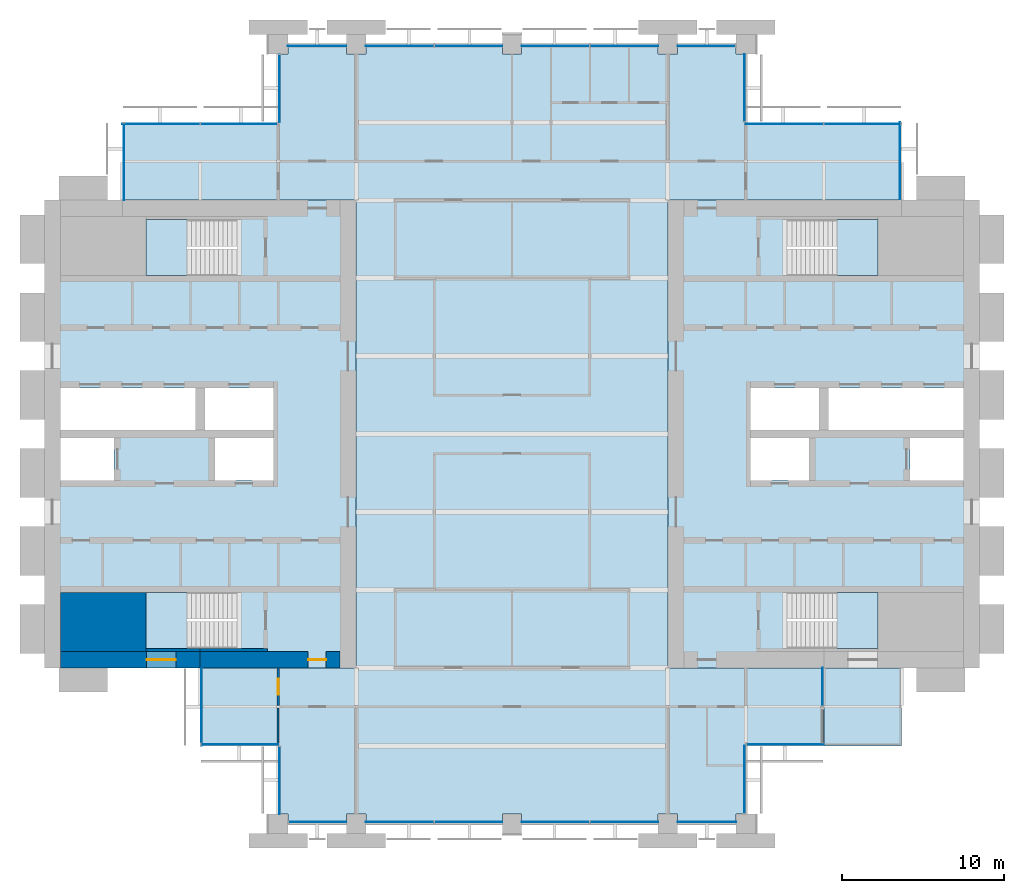
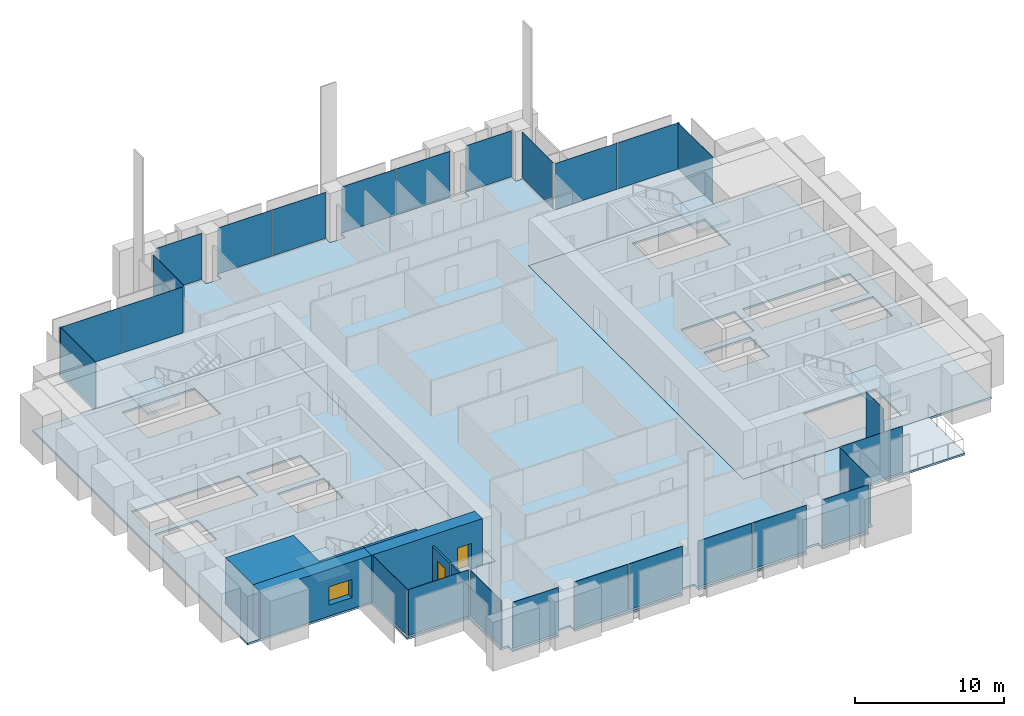
# One storey, part 8 of 14: 26 plates, 8 slabs, 7 walls, 2 doors, 1 window, 3 openings, 18 elements without a shape of their own.
"""IFC4 building model written with IfcOpenShell, lengths in metres."""

from ifc_helpers import new_model, si_unit, direction, frame, frame_2d, origin, origin_2d, place, context, subcontext, project, spatial, polyline, rectangle, outline, extrude, material, layer, layer_set, type_object, element, fill, aggregate, save


model = new_model("IFC4")

# Units and contexts
model_context = context("Model", 3, precision=1e-05, world=origin(), true_north=direction((0.0, 1.0)))
body_context = subcontext(model_context, "Body", "Model", "MODEL_VIEW")
ifc_project = project(units=[si_unit("LENGTHUNIT", "METRE"), si_unit("AREAUNIT", "SQUARE_METRE"), si_unit("VOLUMEUNIT", "CUBIC_METRE"), si_unit("PLANEANGLEUNIT", "RADIAN"), si_unit("MASSUNIT", "GRAM", prefix="KILO")], contexts=[model_context])

# Site, building, storey
site_placement = place(None, origin())
site = spatial("IfcSite", under=ifc_project, at=site_placement, CompositionType="ELEMENT")
building_placement = place(site_placement, origin())
building = spatial("IfcBuilding", under=site, at=building_placement, Name="Baori Bourse Tower", CompositionType="ELEMENT")
storey_placement = place(building_placement, frame((0.0, 0.0, 120.10009765625)))
storey = spatial("IfcBuildingStorey", under=building, at=storey_placement, Name="L25", CompositionType="ELEMENT", Elevation=120.10009765625)

# Curtain wall, plates
ifc_material_1 = material(Name="Pale anodised aluminium", Category="aluminium")
curtain_wall_type_1 = type_object("IfcCurtainWallType", Name="CW1 Curtain wall", PredefinedType="NOTDEFINED", material=ifc_material_1)
curtain_wall_1_placement = place(storey_placement, origin())
curtain_wall_1 = element("IfcCurtainWall", 1, at=curtain_wall_1_placement, inside=storey, type_object=curtain_wall_type_1, Name="Curtain wall CW1 L25 4", PredefinedType="NOTDEFINED")
ifc_material_2 = material(Name="Clear glass", Category="glass")
ifc_layer_1 = layer(ifc_material_2, 0.033935546875)
ifc_layer_set_1 = layer_set([ifc_layer_1], Name="CW1 Curtain wall panel")
plate_type_1 = type_object("IfcPlateType", Name="CW1 Curtain wall panel", PredefinedType="CURTAIN_PANEL", material=ifc_layer_set_1)
plate_1_placement = place(storey_placement, frame((40.77001953125, 47.89990234375, 0.080078125), z_axis=(0.0, 0.0, 1.0), x_axis=(-1.0, 0.0, 0.0)))
plate_1 = element("IfcPlate", 2, at=plate_1_placement, type_object=plate_type_1, Name="Curtain wall CW1 panel", PredefinedType="CURTAIN_PANEL", context=body_context, shape_type="SweptSolid", body=[
    extrude(rectangle(XDim=3.5400390625, YDim=0.033935546875, at=origin_2d()), origin(), (0.0, 0.0, 1.0), 3.760009765625),
])
plate_2_placement = place(storey_placement, frame((35.715087890625, 47.89990234375, 0.080078125), z_axis=(0.0, 0.0, 1.0), x_axis=(-1.0, 0.0, 0.0)))
plate_2 = element("IfcPlate", 3, at=plate_2_placement, type_object=plate_type_1, Name="Curtain wall CW1 panel", PredefinedType="CURTAIN_PANEL", context=body_context, shape_type="SweptSolid", body=[
    extrude(rectangle(XDim=4.169921875, YDim=0.033935546875, at=origin_2d()), origin(), (0.0, 0.0, 1.0), 3.760009765625),
])
plate_3_placement = place(storey_placement, frame((31.485107421875, 47.89990234375, 0.080078125), z_axis=(0.0, 0.0, 1.0), x_axis=(-1.0, 0.0, 0.0)))
plate_3 = element("IfcPlate", 4, at=plate_3_placement, type_object=plate_type_1, Name="Curtain wall CW1 panel", PredefinedType="CURTAIN_PANEL", context=body_context, shape_type="SweptSolid", body=[
    extrude(rectangle(XDim=4.169921875, YDim=0.033935546875, at=origin_2d()), origin(), (0.0, 0.0, 1.0), 3.760009765625),
])
plate_4_placement = place(storey_placement, frame((26.114990234375, 47.89990234375, 0.080078125), z_axis=(0.0, 0.0, 1.0), x_axis=(-1.0, 0.0, 0.0)))
plate_4 = element("IfcPlate", 5, at=plate_4_placement, type_object=plate_type_1, Name="Curtain wall CW1 panel", PredefinedType="CURTAIN_PANEL", context=body_context, shape_type="SweptSolid", body=[
    extrude(rectangle(XDim=4.169921875, YDim=0.033935546875, at=origin_2d()), origin(), (0.0, 0.0, 1.0), 3.760009765625),
])
plate_5_placement = place(storey_placement, frame((21.885009765625, 47.89990234375, 0.080078125), z_axis=(0.0, 0.0, 1.0), x_axis=(-1.0, 0.0, 0.0)))
plate_5 = element("IfcPlate", 6, at=plate_5_placement, type_object=plate_type_1, Name="Curtain wall CW1 panel", PredefinedType="CURTAIN_PANEL", context=body_context, shape_type="SweptSolid", body=[
    extrude(rectangle(XDim=4.169921875, YDim=0.033935546875, at=origin_2d()), origin(), (0.0, 0.0, 1.0), 3.760009765625),
])
plate_6_placement = place(storey_placement, frame((16.800048828125, 47.89990234375, 0.080078125), z_axis=(0.0, 0.0, 1.0), x_axis=(-1.0, 0.0, 0.0)))
plate_6 = element("IfcPlate", 7, at=plate_6_placement, type_object=plate_type_1, Name="Curtain wall CW1 panel", PredefinedType="CURTAIN_PANEL", context=body_context, shape_type="SweptSolid", body=[
    extrude(rectangle(XDim=3.60009765625, YDim=0.033935546875, at=origin_2d()), origin(), (0.0, 0.0, 1.0), 3.760009765625),
])
aggregate(curtain_wall_1, [plate_1, plate_2, plate_3, plate_4, plate_5, plate_6])

curtain_wall_2_placement = place(storey_placement, origin())
curtain_wall_2 = element("IfcCurtainWall", 8, at=curtain_wall_2_placement, inside=storey, type_object=curtain_wall_type_1, Name="Curtain wall CW1 L25 11", PredefinedType="NOTDEFINED")
plate_7_placement = place(storey_placement, frame((16.830078125, 0.10009765625, 0.080078125), z_axis=(0.0, 0.0, 1.0), x_axis=(1.0, 0.0, 0.0)))
plate_7 = element("IfcPlate", 9, at=plate_7_placement, type_object=plate_type_1, Name="Curtain wall CW1 panel", PredefinedType="CURTAIN_PANEL", context=body_context, shape_type="SweptSolid", body=[
    extrude(rectangle(XDim=3.5400390625, YDim=0.033935546875, at=origin_2d()), origin(), (0.0, 0.0, 1.0), 3.760009765625),
])
plate_8_placement = place(storey_placement, frame((21.885009765625, 0.10009765625, 0.080078125), z_axis=(0.0, 0.0, 1.0), x_axis=(1.0, 0.0, 0.0)))
plate_8 = element("IfcPlate", 10, at=plate_8_placement, type_object=plate_type_1, Name="Curtain wall CW1 panel", PredefinedType="CURTAIN_PANEL", context=body_context, shape_type="SweptSolid", body=[
    extrude(rectangle(XDim=4.169921875, YDim=0.033935546875, at=origin_2d()), origin(), (0.0, 0.0, 1.0), 3.760009765625),
])
plate_9_placement = place(storey_placement, frame((26.114990234375, 0.10009765625, 0.080078125), z_axis=(0.0, 0.0, 1.0), x_axis=(1.0, 0.0, 0.0)))
plate_9 = element("IfcPlate", 11, at=plate_9_placement, type_object=plate_type_1, Name="Curtain wall CW1 panel", PredefinedType="CURTAIN_PANEL", context=body_context, shape_type="SweptSolid", body=[
    extrude(rectangle(XDim=4.169921875, YDim=0.033935546875, at=origin_2d()), origin(), (0.0, 0.0, 1.0), 3.760009765625),
])
plate_10_placement = place(storey_placement, frame((31.485107421875, 0.10009765625, 0.080078125), z_axis=(0.0, 0.0, 1.0), x_axis=(1.0, 0.0, 0.0)))
plate_10 = element("IfcPlate", 12, at=plate_10_placement, type_object=plate_type_1, Name="Curtain wall CW1 panel", PredefinedType="CURTAIN_PANEL", context=body_context, shape_type="SweptSolid", body=[
    extrude(rectangle(XDim=4.169921875, YDim=0.033935546875, at=origin_2d()), origin(), (0.0, 0.0, 1.0), 3.760009765625),
])
plate_11_placement = place(storey_placement, frame((35.715087890625, 0.10009765625, 0.080078125), z_axis=(0.0, 0.0, 1.0), x_axis=(1.0, 0.0, 0.0)))
plate_11 = element("IfcPlate", 13, at=plate_11_placement, type_object=plate_type_1, Name="Curtain wall CW1 panel", PredefinedType="CURTAIN_PANEL", context=body_context, shape_type="SweptSolid", body=[
    extrude(rectangle(XDim=4.169921875, YDim=0.033935546875, at=origin_2d()), origin(), (0.0, 0.0, 1.0), 3.760009765625),
])
plate_12_placement = place(storey_placement, frame((40.800048828125, 0.10009765625, 0.080078125), z_axis=(0.0, 0.0, 1.0), x_axis=(1.0, 0.0, 0.0)))
plate_12 = element("IfcPlate", 14, at=plate_12_placement, type_object=plate_type_1, Name="Curtain wall CW1 panel", PredefinedType="CURTAIN_PANEL", context=body_context, shape_type="SweptSolid", body=[
    extrude(rectangle(XDim=3.60009765625, YDim=0.033935546875, at=origin_2d()), origin(), (0.0, 0.0, 1.0), 3.760009765625),
])
aggregate(curtain_wall_2, [plate_7, plate_8, plate_9, plate_10, plate_11, plate_12])

# Curtain wall, plate
ifc_material_3 = material(Name="Pale anodised aluminium", Category="aluminium")
curtain_wall_type_2 = type_object("IfcCurtainWallType", Name="CW2 Curtain wall", PredefinedType="NOTDEFINED", material=ifc_material_3)
curtain_wall_3_placement = place(storey_placement, origin())
curtain_wall_3 = element("IfcCurtainWall", 15, at=curtain_wall_3_placement, inside=storey, type_object=curtain_wall_type_2, Name="Curtain wall CW2 L25 1", PredefinedType="NOTDEFINED")
ifc_material_4 = material(Name="Clear glass", Category="glass")
ifc_layer_2 = layer(ifc_material_4, 0.030029296875)
ifc_layer_set_2 = layer_set([ifc_layer_2], Name="CW2 Curtain wall panel")
plate_type_2 = type_object("IfcPlateType", Name="CW2 Curtain wall panel", PredefinedType="CURTAIN_PANEL", material=ifc_layer_set_2)
plate_13_placement = place(storey_placement, frame((52.7099609375, 40.827392578125, 0.06982421875), z_axis=(0.0, 0.0, 1.0), x_axis=(0.0, 1.0, 0.0)))
plate_13 = element("IfcPlate", 16, at=plate_13_placement, type_object=plate_type_2, Name="Curtain wall CW2 panel", PredefinedType="CURTAIN_PANEL", context=body_context, shape_type="SweptSolid", body=[
    extrude(rectangle(XDim=4.7451171875, YDim=0.030029296875, at=origin_2d()), origin(), (0.0, 0.0, 1.0), 3.77001953125),
])
aggregate(curtain_wall_3, [plate_13])

# Curtain wall, plates
curtain_wall_4_placement = place(storey_placement, origin())
curtain_wall_4 = element("IfcCurtainWall", 17, at=curtain_wall_4_placement, inside=storey, type_object=curtain_wall_type_2, Name="Curtain wall CW2 L25 2", PredefinedType="NOTDEFINED")
plate_14_placement = place(storey_placement, frame((50.38623046875, 43.110107421875, 0.06982421875), z_axis=(0.0, 0.0, 1.0), x_axis=(-1.0, 0.0, 0.0)))
plate_14 = element("IfcPlate", 18, at=plate_14_placement, type_object=plate_type_2, Name="Curtain wall CW2 panel", PredefinedType="CURTAIN_PANEL", context=body_context, shape_type="SweptSolid", body=[
    extrude(rectangle(XDim=4.717529296875, YDim=0.030029296875, at=origin_2d()), origin(), (0.0, 0.0, 1.0), 3.77001953125),
])
plate_15_placement = place(storey_placement, frame((45.586181640625, 43.110107421875, 0.06982421875), z_axis=(0.0, 0.0, 1.0), x_axis=(-1.0, 0.0, 0.0)))
plate_15 = element("IfcPlate", 19, at=plate_15_placement, type_object=plate_type_2, Name="Curtain wall CW2 panel", PredefinedType="CURTAIN_PANEL", context=body_context, shape_type="SweptSolid", body=[
    extrude(rectangle(XDim=4.7724609375, YDim=0.030029296875, at=origin_2d()), origin(), (0.0, 0.0, 1.0), 3.77001953125),
])
aggregate(curtain_wall_4, [plate_14, plate_15])

# Curtain wall, plate
curtain_wall_5_placement = place(storey_placement, origin())
curtain_wall_5 = element("IfcCurtainWall", 20, at=curtain_wall_5_placement, inside=storey, type_object=curtain_wall_type_2, Name="Curtain wall CW2 L25 3", PredefinedType="NOTDEFINED")
plate_16_placement = place(storey_placement, frame((43.110107421875, 45.327392578125, 0.06982421875), z_axis=(0.0, 0.0, 1.0), x_axis=(0.0, 1.0, 0.0)))
plate_16 = element("IfcPlate", 21, at=plate_16_placement, type_object=plate_type_2, Name="Curtain wall CW2 panel", PredefinedType="CURTAIN_PANEL", context=body_context, shape_type="SweptSolid", body=[
    extrude(rectangle(XDim=4.14501953125, YDim=0.030029296875, at=origin_2d()), origin(), (0.0, 0.0, 1.0), 3.77001953125),
])
aggregate(curtain_wall_5, [plate_16])

curtain_wall_6_placement = place(storey_placement, origin())
curtain_wall_6 = element("IfcCurtainWall", 22, at=curtain_wall_6_placement, inside=storey, type_object=curtain_wall_type_2, Name="Curtain wall CW2 L25 5", PredefinedType="NOTDEFINED")
plate_17_placement = place(storey_placement, frame((14.489990234375, 45.2724609375, 0.06982421875), z_axis=(0.0, 0.0, 1.0), x_axis=(0.0, -1.0, 0.0)))
plate_17 = element("IfcPlate", 23, at=plate_17_placement, type_object=plate_type_2, Name="Curtain wall CW2 panel", PredefinedType="CURTAIN_PANEL", context=body_context, shape_type="SweptSolid", body=[
    extrude(rectangle(XDim=4.14501953125, YDim=0.030029296875, at=origin_2d()), origin(), (0.0, 0.0, 1.0), 3.77001953125),
])
aggregate(curtain_wall_6, [plate_17])

# Curtain wall, plates
curtain_wall_7_placement = place(storey_placement, origin())
curtain_wall_7 = element("IfcCurtainWall", 24, at=curtain_wall_7_placement, inside=storey, type_object=curtain_wall_type_2, Name="Curtain wall CW2 L25 6", PredefinedType="NOTDEFINED")
plate_18_placement = place(storey_placement, frame((11.986328125, 43.110107421875, 0.06982421875), z_axis=(0.0, 0.0, 1.0), x_axis=(-1.0, 0.0, 0.0)))
plate_18 = element("IfcPlate", 25, at=plate_18_placement, type_object=plate_type_2, Name="Curtain wall CW2 panel", PredefinedType="CURTAIN_PANEL", context=body_context, shape_type="SweptSolid", body=[
    extrude(rectangle(XDim=4.717529296875, YDim=0.030029296875, at=origin_2d()), origin(), (0.0, 0.0, 1.0), 3.77001953125),
])
plate_19_placement = place(storey_placement, frame((7.186279296875, 43.110107421875, 0.06982421875), z_axis=(0.0, 0.0, 1.0), x_axis=(-1.0, 0.0, 0.0)))
plate_19 = element("IfcPlate", 26, at=plate_19_placement, type_object=plate_type_2, Name="Curtain wall CW2 panel", PredefinedType="CURTAIN_PANEL", context=body_context, shape_type="SweptSolid", body=[
    extrude(rectangle(XDim=4.7724609375, YDim=0.030029296875, at=origin_2d()), origin(), (0.0, 0.0, 1.0), 3.77001953125),
])
aggregate(curtain_wall_7, [plate_18, plate_19])

# Curtain wall, plate
curtain_wall_8_placement = place(storey_placement, origin())
curtain_wall_8 = element("IfcCurtainWall", 27, at=curtain_wall_8_placement, inside=storey, type_object=curtain_wall_type_2, Name="Curtain wall CW2 L25 7", PredefinedType="NOTDEFINED")
plate_20_placement = place(storey_placement, frame((4.889892578125, 40.7724609375, 0.06982421875), z_axis=(0.0, 0.0, 1.0), x_axis=(0.0, -1.0, 0.0)))
plate_20 = element("IfcPlate", 28, at=plate_20_placement, type_object=plate_type_2, Name="Curtain wall CW2 panel", PredefinedType="CURTAIN_PANEL", context=body_context, shape_type="SweptSolid", body=[
    extrude(rectangle(XDim=4.7451171875, YDim=0.030029296875, at=origin_2d()), origin(), (0.0, 0.0, 1.0), 3.77001953125),
])
aggregate(curtain_wall_8, [plate_20])

curtain_wall_9_placement = place(storey_placement, origin())
curtain_wall_9 = element("IfcCurtainWall", 29, at=curtain_wall_9_placement, inside=storey, type_object=curtain_wall_type_2, Name="Curtain wall CW2 L25 8", PredefinedType="NOTDEFINED")
plate_21_placement = place(storey_placement, frame((9.68994140625, 7.172607421875, 0.06982421875), z_axis=(0.0, 0.0, 1.0), x_axis=(0.0, -1.0, 0.0)))
plate_21 = element("IfcPlate", 30, at=plate_21_placement, type_object=plate_type_2, Name="Curtain wall CW2 panel", PredefinedType="CURTAIN_PANEL", context=body_context, shape_type="SweptSolid", body=[
    extrude(rectangle(XDim=4.7451171875, YDim=0.030029296875, at=origin_2d()), origin(), (0.0, 0.0, 1.0), 3.77001953125),
])
aggregate(curtain_wall_9, [plate_21])

curtain_wall_10_placement = place(storey_placement, origin())
curtain_wall_10 = element("IfcCurtainWall", 31, at=curtain_wall_10_placement, inside=storey, type_object=curtain_wall_type_2, Name="Curtain wall CW2 L25 9", PredefinedType="NOTDEFINED")
plate_22_placement = place(storey_placement, frame((12.027587890625, 4.889892578125, 0.06982421875), z_axis=(0.0, 0.0, 1.0), x_axis=(1.0, 0.0, 0.0)))
plate_22 = element("IfcPlate", 32, at=plate_22_placement, type_object=plate_type_2, Name="Curtain wall CW2 panel", PredefinedType="CURTAIN_PANEL", context=body_context, shape_type="SweptSolid", body=[
    extrude(rectangle(XDim=4.7451171875, YDim=0.030029296875, at=origin_2d()), origin(), (0.0, 0.0, 1.0), 3.77001953125),
])
aggregate(curtain_wall_10, [plate_22])

curtain_wall_11_placement = place(storey_placement, origin())
curtain_wall_11 = element("IfcCurtainWall", 33, at=curtain_wall_11_placement, inside=storey, type_object=curtain_wall_type_2, Name="Curtain wall CW2 L25 10", PredefinedType="NOTDEFINED")
plate_23_placement = place(storey_placement, frame((14.489990234375, 2.672607421875, 0.06982421875), z_axis=(0.0, 0.0, 1.0), x_axis=(0.0, -1.0, 0.0)))
plate_23 = element("IfcPlate", 34, at=plate_23_placement, type_object=plate_type_2, Name="Curtain wall CW2 panel", PredefinedType="CURTAIN_PANEL", context=body_context, shape_type="SweptSolid", body=[
    extrude(rectangle(XDim=4.14501953125, YDim=0.030029296875, at=origin_2d()), origin(), (0.0, 0.0, 1.0), 3.77001953125),
])
aggregate(curtain_wall_11, [plate_23])

curtain_wall_12_placement = place(storey_placement, origin())
curtain_wall_12 = element("IfcCurtainWall", 35, at=curtain_wall_12_placement, inside=storey, type_object=curtain_wall_type_2, Name="Curtain wall CW2 L25 12", PredefinedType="NOTDEFINED")
plate_24_placement = place(storey_placement, frame((43.110107421875, 2.7275390625, 0.06982421875), z_axis=(0.0, 0.0, 1.0), x_axis=(0.0, 1.0, 0.0)))
plate_24 = element("IfcPlate", 36, at=plate_24_placement, type_object=plate_type_2, Name="Curtain wall CW2 panel", PredefinedType="CURTAIN_PANEL", context=body_context, shape_type="SweptSolid", body=[
    extrude(rectangle(XDim=4.14501953125, YDim=0.030029296875, at=origin_2d()), origin(), (0.0, 0.0, 1.0), 3.77001953125),
])
aggregate(curtain_wall_12, [plate_24])

curtain_wall_13_placement = place(storey_placement, origin())
curtain_wall_13 = element("IfcCurtainWall", 37, at=curtain_wall_13_placement, inside=storey, type_object=curtain_wall_type_2, Name="Curtain wall CW2 L25 13", PredefinedType="NOTDEFINED")
plate_25_placement = place(storey_placement, frame((45.62744140625, 4.889892578125, 0.06982421875), z_axis=(0.0, 0.0, 1.0), x_axis=(1.0, 0.0, 0.0)))
plate_25 = element("IfcPlate", 38, at=plate_25_placement, type_object=plate_type_2, Name="Curtain wall CW2 panel", PredefinedType="CURTAIN_PANEL", context=body_context, shape_type="SweptSolid", body=[
    extrude(rectangle(XDim=4.7451171875, YDim=0.030029296875, at=origin_2d()), origin(), (0.0, 0.0, 1.0), 3.77001953125),
])
aggregate(curtain_wall_13, [plate_25])

curtain_wall_14_placement = place(storey_placement, origin())
curtain_wall_14 = element("IfcCurtainWall", 39, at=curtain_wall_14_placement, inside=storey, type_object=curtain_wall_type_2, Name="Curtain wall CW2 L25 14", PredefinedType="NOTDEFINED")
plate_26_placement = place(storey_placement, frame((47.909912109375, 8.427490234375, 0.06982421875), z_axis=(0.0, 0.0, 1.0), x_axis=(0.0, 1.0, 0.0)))
plate_26 = element("IfcPlate", 40, at=plate_26_placement, type_object=plate_type_2, Name="Curtain wall CW2 panel", PredefinedType="CURTAIN_PANEL", context=body_context, shape_type="SweptSolid", body=[
    extrude(rectangle(XDim=2.344970703125, YDim=0.030029296875, at=origin_2d()), origin(), (0.0, 0.0, 1.0), 3.77001953125),
])
aggregate(curtain_wall_14, [plate_26])

# Slabs
ifc_material_5 = material(Name="Concrete f'c 50 MPa", Category="concrete")
ifc_layer_3 = layer(ifc_material_5, 0.159912109375)
ifc_layer_set_3 = layer_set([ifc_layer_3], Name="Core slab 160")
slab_type_1 = type_object("IfcSlabType", Name="Core slab 160", PredefinedType="FLOOR", material=ifc_layer_set_3)
slab_1_placement = place(storey_placement, frame((0.0, 0.0, -0.16015625)))
element("IfcSlab", 41, at=slab_1_placement, inside=storey, type_object=slab_type_1, Name="Core floor slab W01", PredefinedType="FLOOR", context=body_context, shape_type="SweptSolid", body=[
    extrude(outline(polyline([(0.0, 38.39990234375), (0.0, 9.60009765625), (19.199951171875, 9.60009765625), (19.199951171875, 38.39990234375), (0.0, 38.39990234375)]), holes=[polyline([(10.5, 21.14990234375), (10.5, 23.75), (14.10009765625, 23.75), (14.10009765625, 21.14990234375), (10.5, 21.14990234375)]), polyline([(14.10009765625, 24.25), (9.89990234375, 24.25), (9.89990234375, 26.85009765625), (14.10009765625, 26.85009765625), (14.10009765625, 24.25)]), polyline([(6.25, 14.25), (11.84912109375, 14.25), (11.84912109375, 10.800048828125), (6.25, 10.800048828125), (6.25, 14.25)]), polyline([(11.84912109375, 37.199951171875), (11.84912109375, 33.75), (6.25, 33.75), (6.25, 37.199951171875), (11.84912109375, 37.199951171875)]), polyline([(1.0, 26.85009765625), (9.300048828125, 26.85009765625), (9.300048828125, 24.25), (1.0, 24.25), (1.0, 26.85009765625)]), polyline([(4.300048828125, 23.75), (4.300048828125, 21.14990234375), (1.0, 21.14990234375), (1.0, 23.75), (4.300048828125, 23.75)])]), origin(), (0.0, 0.0, 1.0), 0.16015625),
])
slab_2_placement = place(storey_placement, frame((0.0, 0.0, -0.16015625)))
element("IfcSlab", 42, at=slab_2_placement, inside=storey, type_object=slab_type_1, Name="Core floor slab E01", PredefinedType="FLOOR", context=body_context, shape_type="SweptSolid", body=[
    extrude(outline(polyline([(57.60009765625, 38.39990234375), (38.39990234375, 38.39990234375), (38.39990234375, 9.60009765625), (57.60009765625, 9.60009765625), (57.60009765625, 38.39990234375)]), holes=[polyline([(56.60009765625, 21.14990234375), (53.300048828125, 21.14990234375), (53.300048828125, 23.75), (56.60009765625, 23.75), (56.60009765625, 21.14990234375)]), polyline([(56.60009765625, 26.85009765625), (56.60009765625, 24.25), (48.300048828125, 24.25), (48.300048828125, 26.85009765625), (56.60009765625, 26.85009765625)]), polyline([(45.750732421875, 14.25), (51.35009765625, 14.25), (51.35009765625, 10.800048828125), (45.750732421875, 10.800048828125), (45.750732421875, 14.25)]), polyline([(51.35009765625, 37.199951171875), (51.35009765625, 33.75), (45.750732421875, 33.75), (45.750732421875, 37.199951171875), (51.35009765625, 37.199951171875)]), polyline([(43.5, 24.25), (43.5, 26.85009765625), (47.699951171875, 26.85009765625), (47.699951171875, 24.25), (43.5, 24.25)]), polyline([(43.5, 23.75), (47.10009765625, 23.75), (47.10009765625, 21.14990234375), (43.5, 21.14990234375), (43.5, 23.75)])]), origin(), (0.0, 0.0, 1.0), 0.16015625),
])

# Stair, slab
ifc_material_6 = material(Name="Concrete f'c 50 MPa", Category="concrete")
stair_type = type_object("IfcStairType", Name="Core stair", PredefinedType="HALF_TURN_STAIR", material=ifc_material_6)
stair_1_placement = place(storey_placement, origin())
stair_1 = element("IfcStair", 43, at=stair_1_placement, inside=storey, type_object=stair_type, Name="L25 Stair WA", PredefinedType="HALF_TURN_STAIR")
ifc_material_7 = material(Name="Concrete f'c 50 MPa", Category="concrete")
slab_type_2 = type_object("IfcSlabType", Name="Core stair landing", PredefinedType="LANDING", material=ifc_material_7)
slab_3_placement = place(storey_placement, frame((0.0, 0.0, 1.7998046875)))
slab_3 = element("IfcSlab", 44, at=slab_3_placement, type_object=slab_type_2, Name="ST1 landing 1", PredefinedType="LANDING", context=body_context, shape_type="SweptSolid", body=[
    extrude(outline(polyline([(8.77001953125, 14.25), (6.25, 14.25), (6.25, 10.800048828125), (8.77001953125, 10.800048828125), (8.77001953125, 14.25)])), origin(), (0.0, 0.0, 1.0), 0.2001953125),
])
aggregate(stair_1, [slab_3])

stair_2_placement = place(storey_placement, origin())
stair_2 = element("IfcStair", 45, at=stair_2_placement, inside=storey, type_object=stair_type, Name="L25 Stair WB", PredefinedType="HALF_TURN_STAIR")
slab_4_placement = place(storey_placement, frame((0.0, 0.0, 1.7998046875)))
slab_4 = element("IfcSlab", 46, at=slab_4_placement, type_object=slab_type_2, Name="ST2 landing 1", PredefinedType="LANDING", context=body_context, shape_type="SweptSolid", body=[
    extrude(outline(polyline([(8.77001953125, 37.199951171875), (6.25, 37.199951171875), (6.25, 33.75), (8.77001953125, 33.75), (8.77001953125, 37.199951171875)])), origin(), (0.0, 0.0, 1.0), 0.2001953125),
])
aggregate(stair_2, [slab_4])

stair_3_placement = place(storey_placement, origin())
stair_3 = element("IfcStair", 47, at=stair_3_placement, inside=storey, type_object=stair_type, Name="L25 Stair EA", PredefinedType="HALF_TURN_STAIR")
slab_5_placement = place(storey_placement, frame((0.0, 0.0, 1.7998046875)))
slab_5 = element("IfcSlab", 48, at=slab_5_placement, type_object=slab_type_2, Name="ST3 landing 1", PredefinedType="LANDING", context=body_context, shape_type="SweptSolid", body=[
    extrude(outline(polyline([(48.830078125, 10.800048828125), (51.35009765625, 10.800048828125), (51.35009765625, 14.25), (48.830078125, 14.25), (48.830078125, 10.800048828125)])), origin(), (0.0, 0.0, 1.0), 0.2001953125),
])
aggregate(stair_3, [slab_5])

stair_4_placement = place(storey_placement, origin())
stair_4 = element("IfcStair", 49, at=stair_4_placement, inside=storey, type_object=stair_type, Name="L25 Stair EB", PredefinedType="HALF_TURN_STAIR")
slab_6_placement = place(storey_placement, frame((0.0, 0.0, 1.7998046875)))
slab_6 = element("IfcSlab", 50, at=slab_6_placement, type_object=slab_type_2, Name="ST4 landing 1", PredefinedType="LANDING", context=body_context, shape_type="SweptSolid", body=[
    extrude(outline(polyline([(48.830078125, 33.75), (51.35009765625, 33.75), (51.35009765625, 37.199951171875), (48.830078125, 37.199951171875), (48.830078125, 33.75)])), origin(), (0.0, 0.0, 1.0), 0.2001953125),
])
aggregate(stair_4, [slab_6])

# Slabs
ifc_material_8 = material(Name="Concrete f'c 40 MPa", Category="concrete")
ifc_layer_4 = layer(ifc_material_8, 0.159912109375)
ifc_layer_set_4 = layer_set([ifc_layer_4], Name="Floor slab 160")
slab_type_3 = type_object("IfcSlabType", Name="Floor slab 160", PredefinedType="FLOOR", material=ifc_layer_set_4)
slab_7_placement = place(storey_placement, frame((0.0, 0.0, -0.16015625)))
element("IfcSlab", 51, at=slab_7_placement, inside=storey, type_object=slab_type_3, Name="Floor slab L25", PredefinedType="FLOOR", context=body_context, shape_type="SweptSolid", body=[
    extrude(outline(polyline([(14.39990234375, 4.800048828125), (9.60009765625, 4.800048828125), (9.60009765625, 9.60009765625), (19.199951171875, 9.60009765625), (19.199951171875, 38.39990234375), (4.800048828125, 38.39990234375), (4.800048828125, 43.199951171875), (14.39990234375, 43.199951171875), (14.39990234375, 47.39990234375), (15.0, 47.39990234375), (15.0, 48.0), (18.60009765625, 48.0), (18.60009765625, 47.39990234375), (19.800048828125, 47.39990234375), (19.800048828125, 48.0), (28.199951171875, 48.0), (28.199951171875, 47.39990234375), (29.39990234375, 47.39990234375), (29.39990234375, 48.0), (37.800048828125, 48.0), (37.800048828125, 47.39990234375), (39.0, 47.39990234375), (39.0, 48.0), (42.60009765625, 48.0), (42.60009765625, 47.39990234375), (43.199951171875, 47.39990234375), (43.199951171875, 43.199951171875), (52.800048828125, 43.199951171875), (52.800048828125, 38.39990234375), (38.39990234375, 38.39990234375), (38.39990234375, 9.60009765625), (48.0, 9.60009765625), (48.0, 4.800048828125), (43.199951171875, 4.800048828125), (43.199951171875, 0.60009765625), (42.60009765625, 0.60009765625), (42.60009765625, 0.0), (39.0, 0.0), (39.0, 0.60009765625), (37.800048828125, 0.60009765625), (37.800048828125, 0.0), (29.39990234375, 0.0), (29.39990234375, 0.60009765625), (28.199951171875, 0.60009765625), (28.199951171875, 0.0), (19.800048828125, 0.0), (19.800048828125, 0.60009765625), (18.60009765625, 0.60009765625), (18.60009765625, 0.0), (15.0, 0.0), (15.0, 0.60009765625), (14.39990234375, 0.60009765625), (14.39990234375, 4.800048828125)])), origin(), (0.0, 0.0, 1.0), 0.16015625),
])
ifc_material_9 = material(Name="Concrete f'c 40 MPa", Category="concrete")
ifc_layer_5 = layer(ifc_material_9, 0.159912109375)
ifc_layer_set_5 = layer_set([ifc_layer_5], Name="Terrace slab 160")
slab_type_4 = type_object("IfcSlabType", Name="Terrace slab 160", PredefinedType="ROOF", material=ifc_layer_set_5)
slab_8_placement = place(storey_placement, frame((0.0, 0.0, -0.16015625)))
element("IfcSlab", 52, at=slab_8_placement, inside=storey, type_object=slab_type_4, Name="Terrace slab SE L25", PredefinedType="ROOF", context=body_context, shape_type="SweptSolid", body=[
    extrude(outline(polyline([(52.797119140625, 9.596923828125), (52.797119140625, 4.802978515625), (48.0029296875, 4.802978515625), (48.0029296875, 9.596923828125), (52.797119140625, 9.596923828125)])), origin(), (0.0, 0.0, 1.0), 0.16015625),
])

# Wall
ifc_material_10 = material(Name="Concrete f'c 60 MPa", Category="concrete")
wall_type_1 = type_object("IfcWallType", Name="Core corner block f'c 60", PredefinedType="SHEAR", material=ifc_material_10)
wall_1_placement = place(storey_placement, frame((1.0, 12.425048828125, 0.0), z_axis=(0.0, 0.0, 1.0), x_axis=(1.0, 0.0, 0.0)))
element("IfcWall", 53, at=wall_1_placement, inside=storey, type_object=wall_type_1, Name="Core wall W05", PredefinedType="SHEAR", context=body_context, shape_type="SweptSolid", body=[
    extrude(rectangle(XDim=5.25, YDim=3.64990234375, at=frame_2d((2.625, 0.0))), origin(), (0.0, 0.0, 1.0), 3.83984375),
])

# Wall, opening, window
ifc_material_11 = material(Name="Concrete f'c 60 MPa", Category="concrete")
ifc_layer_6 = layer(ifc_material_11, 1.0)
ifc_layer_set_6 = layer_set([ifc_layer_6], Name="Core wall 1000 f'c 60")
wall_type_2 = type_object("IfcWallType", Name="Core wall 1000 f'c 60", PredefinedType="SHEAR", material=ifc_layer_set_6)
wall_2_placement = place(storey_placement, frame((9.60009765625, 10.10009765625, 0.0), z_axis=(0.0, 0.0, 1.0), x_axis=(-1.0, 0.0, 0.0)))
wall_2 = element("IfcWall", 54, at=wall_2_placement, inside=storey, type_object=wall_type_2, Name="Core wall W02", PredefinedType="SHEAR", context=body_context, shape_type="SweptSolid", body=[
    extrude(rectangle(XDim=8.60009765625, YDim=1.0, at=frame_2d((4.300048828125, 0.0))), origin(), (0.0, 0.0, 1.0), 3.83984375),
])
opening_1_placement = place(wall_2_placement, frame((1.5, 0.0, 0.89990234375)))
opening_1 = element("IfcOpeningElement", 55, at=opening_1_placement, cuts=wall_2, Name="Opening L25-KW103", PredefinedType="OPENING", context=body_context, shape_type="SweptSolid", body=[
    extrude(rectangle(XDim=1.800048828125, YDim=1.5, at=frame_2d((0.89990234375, 0.75))), frame((0.0, 0.510009765625, 0.0), z_axis=(0.0, -1.0, 0.0), x_axis=(1.0, 0.0, 0.0)), (0.0, 0.0, 1.0), 1.02001953125),
])
ifc_material_12 = material(Name="Pale anodised aluminium", Category="aluminium")
window_type = type_object("IfcWindowType", Name="Stair window 1800 x 1500", PartitioningType="SINGLE_PANEL", PredefinedType="WINDOW", material=ifc_material_12)
window_placement = place(opening_1_placement, origin())
window = element("IfcWindow", 56, at=window_placement, inside=storey, type_object=window_type, Name="Stair window W L25 3", OverallHeight=1.5, OverallWidth=1.800048828125, PartitioningType="SINGLE_PANEL", PredefinedType="WINDOW", context=body_context, shape_type="SweptSolid", body=[
    extrude(rectangle(XDim=1.800048828125, YDim=1.5, at=frame_2d((0.89990234375, 0.75))), frame((0.0, 0.030029296875, 0.0), z_axis=(0.0, -1.0, 0.0), x_axis=(1.0, 0.0, 0.0)), (0.0, 0.0, 1.0), 0.06005859375),
])
fill(opening_1, window)

# Wall, opening, door
wall_3_placement = place(storey_placement, frame((18.199951171875, 10.10009765625, 0.0), z_axis=(0.0, 0.0, 1.0), x_axis=(-1.0, 0.0, 0.0)))
wall_3 = element("IfcWall", 57, at=wall_3_placement, inside=storey, type_object=wall_type_2, Name="Core wall W03", PredefinedType="SHEAR", context=body_context, shape_type="SweptSolid", body=[
    extrude(rectangle(XDim=8.599853515625, YDim=1.0, at=frame_2d((4.2998046875, 0.0))), origin(), (0.0, 0.0, 1.0), 3.83984375),
])
opening_2_placement = place(wall_3_placement, frame((0.85009765625, 0.0, 0.0)))
opening_2 = element("IfcOpeningElement", 58, at=opening_2_placement, cuts=wall_3, Name="Opening L25-D102", PredefinedType="OPENING", context=body_context, shape_type="SweptSolid", body=[
    extrude(rectangle(XDim=1.10009765625, YDim=2.10009765625, at=frame_2d((0.550048828125, 1.050048828125))), frame((0.0, 0.510009765625, 0.0), z_axis=(0.0, -1.0, 0.0), x_axis=(1.0, 0.0, 0.0)), (0.0, 0.0, 1.0), 1.02001953125),
])
ifc_material_13 = material(Name="Painted steel door", Category="steel")
door_type_1 = type_object("IfcDoorType", Name="Stair door 1100", OperationType="SINGLE_SWING_LEFT", PredefinedType="DOOR", material=ifc_material_13)
door_1_placement = place(opening_2_placement, origin())
door_1 = element("IfcDoor", 59, at=door_1_placement, inside=storey, type_object=door_type_1, Name="Stair vestibule door A W L25", OperationType="SINGLE_SWING_LEFT", OverallHeight=2.10009765625, OverallWidth=1.10009765625, PredefinedType="DOOR", context=body_context, shape_type="SweptSolid", body=[
    extrude(rectangle(XDim=1.10009765625, YDim=2.10009765625, at=frame_2d((0.550048828125, 1.050048828125))), frame((0.0, 0.02490234375, 0.0), z_axis=(0.0, -1.0, 0.0), x_axis=(1.0, 0.0, 0.0)), (0.0, 0.0, 1.0), 0.050048828125),
])
fill(opening_2, door_1)

ifc_material_14 = material(Name="Gypsum board partition")
ifc_layer_7 = layer(ifc_material_14, 0.14990234375)
ifc_layer_set_7 = layer_set([ifc_layer_7], Name="Corridor partition 150")
wall_type_3 = type_object("IfcWallType", Name="Corridor partition 150", PredefinedType="PARTITIONING", material=ifc_layer_set_7)
wall_4_placement = place(storey_placement, frame((14.39990234375, 7.27490234375, 0.0), z_axis=(0.0, 0.0, 1.0), x_axis=(0.0, 1.0, 0.0)))
wall_4 = element("IfcWall", 60, at=wall_4_placement, inside=storey, type_object=wall_type_3, Name="Partition", PredefinedType="PARTITIONING", context=body_context, shape_type="SweptSolid", body=[
    extrude(rectangle(XDim=2.3251953125, YDim=0.14990234375, at=frame_2d((1.16259765625, 0.0))), origin(), (0.0, 0.0, 1.0), 2.935546875),
])
opening_3_placement = place(wall_4_placement, frame((0.66259765625, 0.0, 0.0)))
opening_3 = element("IfcOpeningElement", 61, at=opening_3_placement, cuts=wall_4, Name="Opening L25-D19", PredefinedType="OPENING", context=body_context, shape_type="SweptSolid", body=[
    extrude(rectangle(XDim=1.0, YDim=2.10009765625, at=frame_2d((0.5, 1.050048828125))), frame((0.0, 0.0849609375, 0.0), z_axis=(0.0, -1.0, 0.0), x_axis=(1.0, 0.0, 0.0)), (0.0, 0.0, 1.0), 0.169921875),
])
ifc_material_15 = material(Name="Timber door leaf", Category="wood")
door_type_2 = type_object("IfcDoorType", Name="Door 1000 x 2100", OperationType="SINGLE_SWING_LEFT", PredefinedType="DOOR", material=ifc_material_15)
door_2_placement = place(opening_3_placement, origin())
door_2 = element("IfcDoor", 62, at=door_2_placement, inside=storey, type_object=door_type_2, Name="Door", OperationType="SINGLE_SWING_RIGHT", OverallHeight=2.10009765625, OverallWidth=1.0, PredefinedType="DOOR", context=body_context, shape_type="SweptSolid", body=[
    extrude(rectangle(XDim=1.0, YDim=2.10009765625, at=frame_2d((0.5, 1.050048828125))), frame((0.0, 0.02490234375, 0.0), z_axis=(0.0, -1.0, 0.0), x_axis=(1.0, 0.0, 0.0)), (0.0, 0.0, 1.0), 0.050048828125),
])
fill(opening_3, door_2)

# Walls
ifc_material_16 = material(Name="Gypsum board partition")
ifc_layer_8 = layer(ifc_material_16, 0.125)
ifc_layer_set_8 = layer_set([ifc_layer_8], Name="Partition 125")
wall_type_4 = type_object("IfcWallType", Name="Partition 125", PredefinedType="PARTITIONING", material=ifc_layer_set_8)
wall_5_placement = place(storey_placement, frame((14.39990234375, 4.89990234375, 0.0), z_axis=(0.0, 0.0, 1.0), x_axis=(0.0, 1.0, 0.0)))
element("IfcWall", 63, at=wall_5_placement, inside=storey, type_object=wall_type_4, Name="Partition", PredefinedType="PARTITIONING", context=body_context, shape_type="SweptSolid", body=[
    extrude(rectangle(XDim=2.22509765625, YDim=0.125, at=frame_2d((1.112548828125, 0.0))), origin(), (0.0, 0.0, 1.0), 2.935546875),
])
ifc_material_17 = material(Name="Concrete f'c 60 MPa", Category="concrete")
ifc_layer_9 = layer(ifc_material_17, 0.199951171875)
ifc_layer_set_9 = layer_set([ifc_layer_9], Name="Shaft wall 200 f'c 60")
wall_type_5 = type_object("IfcWallType", Name="Shaft wall 200 f'c 60", PredefinedType="SHEAR", material=ifc_layer_set_9)
wall_6_placement = place(storey_placement, frame((6.25, 10.699951171875, 0.0), z_axis=(0.0, 0.0, 1.0), x_axis=(1.0, 0.0, 0.0)))
element("IfcWall", 64, at=wall_6_placement, inside=storey, type_object=wall_type_5, Name="Core wall W06", PredefinedType="SHEAR", context=body_context, shape_type="SweptSolid", body=[
    extrude(rectangle(XDim=3.35009765625, YDim=0.199951171875, at=frame_2d((1.675048828125, 0.0))), origin(), (0.0, 0.0, 1.0), 3.83984375),
])
wall_7_placement = place(storey_placement, frame((9.60009765625, 10.699951171875, 0.0), z_axis=(0.0, 0.0, 1.0), x_axis=(1.0, 0.0, 0.0)))
element("IfcWall", 65, at=wall_7_placement, inside=storey, type_object=wall_type_5, Name="Core wall W07", PredefinedType="SHEAR", context=body_context, shape_type="SweptSolid", body=[
    extrude(rectangle(XDim=4.14990234375, YDim=0.199951171875, at=frame_2d((2.074951171875, 0.0))), origin(), (0.0, 0.0, 1.0), 3.83984375),
])

save(model, "model.ifc")
